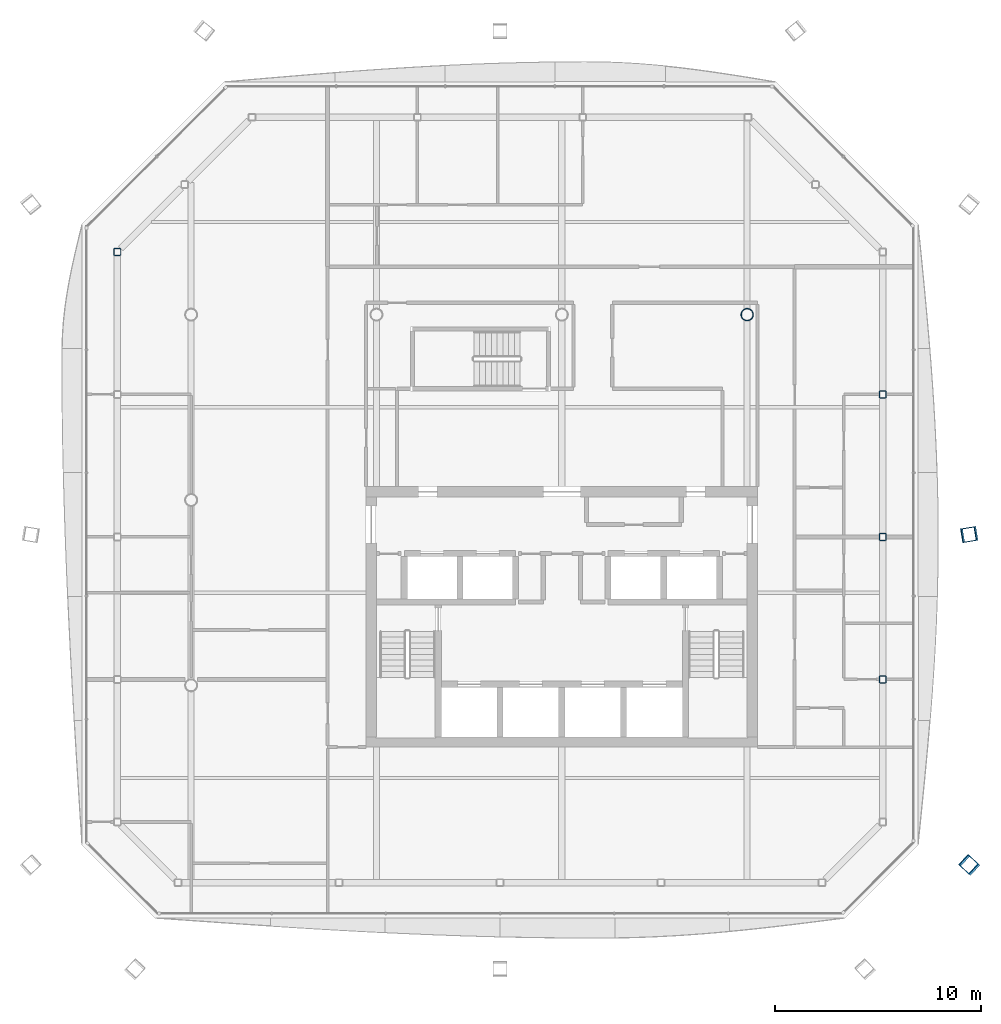
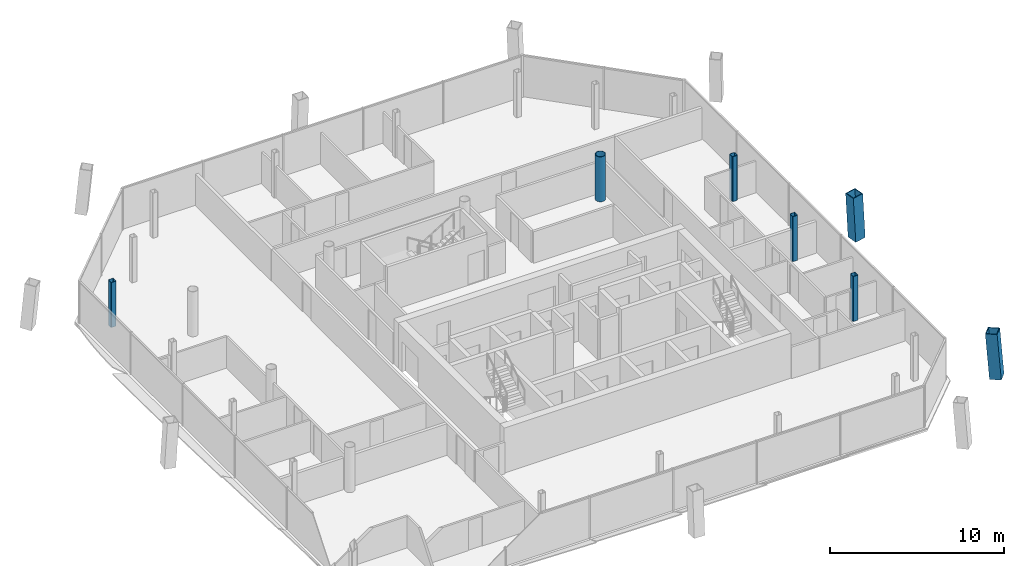
# One storey, part 2 of 20: 7 columns.
"""IFC4 building model written with IfcOpenShell, lengths in metres."""

import ifcopenshell
import ifcopenshell.guid

model = None  # the IFC model being written
_history = None  # IfcOwnerHistory: only IFC2X3 demands one
_inside = {}  # id of a spatial element -> (the spatial element, [elements in it])
_under = {}  # id of a project, library or spatial element -> (it, [spatial elements below it])
_declared = {}  # id of a project -> (the project, [libraries it declares])
_typed = {}  # id of a type object -> (the type object, [elements of that type])
_made_of = {}  # id of a material, layer set ... -> (it, [elements and type objects made of it])


def new_model(schema):
    """Start an empty IFC model of exactly this schema.

    Asked for "IFC4X3", IfcOpenShell would pick the latest addendum, in which some entities
    have other attributes; the version numbers below select the first issue.
    IFC2X3 requires an IfcOwnerHistory on every rooted entity: one is made here for all.
    """
    global model, _history
    if schema == "IFC4X3":
        model = ifcopenshell.file(schema_version=(4, 3, 0, 0))
    else:
        model = ifcopenshell.file(schema=schema)
    _inside.clear()
    _under.clear()
    _declared.clear()
    _typed.clear()
    _made_of.clear()
    _history = None
    if model.schema == "IFC2X3":
        org = make("IfcOrganization", Name="unknown")
        user = make(
            "IfcPersonAndOrganization",
            ThePerson=make("IfcPerson", FamilyName="unknown"),
            TheOrganization=org,
        )
        app = make(
            "IfcApplication",
            ApplicationDeveloper=org,
            Version="unknown",
            ApplicationFullName="unknown",
            ApplicationIdentifier="unknown",
        )
        _history = make(
            "IfcOwnerHistory",
            OwningUser=user,
            OwningApplication=app,
            ChangeAction="ADDED",
            CreationDate=0,
        )
    return model


def make(cls, **values):
    """One entity of the class cls with the attributes given. An attribute that is None is left unset."""
    return model.create_entity(
        cls, **{name: value for name, value in values.items() if value is not None}
    )


def rooted(cls, **values):
    """An entity with a GlobalId (a new one), such as an element, a storey or a relation."""
    return make(cls, GlobalId=ifcopenshell.guid.new(), OwnerHistory=_history, **values)


def si_unit(unit_type, name, prefix=None):
    """IfcSIUnit, for example si_unit("LENGTHUNIT", "METRE", prefix="MILLI")."""
    return make("IfcSIUnit", UnitType=unit_type, Prefix=prefix, Name=name)


def assignment(units):
    """IfcUnitAssignment: the units of a project."""
    return None if units is None else make("IfcUnitAssignment", Units=units)


def point(xyz):
    """IfcCartesianPoint."""
    return None if xyz is None else make("IfcCartesianPoint", Coordinates=xyz)


def direction(xyz):
    """IfcDirection."""
    return None if xyz is None else make("IfcDirection", DirectionRatios=xyz)


def frame(location, z_axis=None, x_axis=None):
    """IfcAxis2Placement3D, a coordinate frame: its origin and axes. An axis left out is left unset."""
    return make(
        "IfcAxis2Placement3D",
        Location=point(location),
        Axis=direction(z_axis),
        RefDirection=direction(x_axis),
    )


def frame_2d(location, x_axis=None):
    """IfcAxis2Placement2D, a coordinate frame in the plane: its origin and x axis."""
    return make(
        "IfcAxis2Placement2D", Location=point(location), RefDirection=direction(x_axis)
    )


def origin():
    """The frame at (0, 0, 0) with its axes left unset."""
    return frame((0.0, 0.0, 0.0))


def origin_2d():
    """The frame at (0, 0) in the plane with its x axis left unset."""
    return frame_2d((0.0, 0.0))


def place(relative_to, where):
    """IfcLocalPlacement: puts the frame where relative to a parent placement (None: the world)."""
    return make(
        "IfcLocalPlacement", PlacementRelTo=relative_to, RelativePlacement=where
    )


def context(
    kind, dimensions, precision=None, world=None, true_north=None, identifier=None
):
    """IfcGeometricRepresentationContext, for example the 3D "Model" context."""
    return make(
        "IfcGeometricRepresentationContext",
        ContextIdentifier=identifier,
        ContextType=kind,
        CoordinateSpaceDimension=dimensions,
        Precision=precision,
        WorldCoordinateSystem=world,
        TrueNorth=true_north,
    )


def subcontext(parent, identifier, kind, view, scale=None):
    """IfcGeometricRepresentationSubContext, for example "Body" below "Model"."""
    return make(
        "IfcGeometricRepresentationSubContext",
        ContextIdentifier=identifier,
        ContextType=kind,
        ParentContext=parent,
        TargetScale=scale,
        TargetView=view,
    )


def project(units=None, contexts=None):
    """IfcProject with its units and contexts."""
    return rooted(
        "IfcProject",
        Name="project",
        RepresentationContexts=contexts,
        UnitsInContext=assignment(units),
    )


def spatial(cls, under=None, at=None, **own):
    """A site, building, storey or space (cls), placed at a placement, below another one or the project."""
    s = rooted(cls, ObjectPlacement=at, **own)
    if under is not None:
        _under.setdefault(under.id(), (under, []))[1].append(s)
    return s


def profile(cls, at=None, kind="AREA", **sizes):
    """A parametric profile (cls). Its sizes go by their IFC names, for example OverallWidth=200.0."""
    return make(cls, ProfileType=kind, Position=at, **sizes)


def hollow_rectangle(**sizes):
    """IfcRectangleHollowProfileDef."""
    return profile("IfcRectangleHollowProfileDef", **sizes)


def hollow_circle(**sizes):
    """IfcCircleHollowProfileDef."""
    return profile("IfcCircleHollowProfileDef", **sizes)


def extrude(swept, where, along, depth):
    """IfcExtrudedAreaSolid: the profile swept, set in the frame where, extruded along a direction by depth."""
    return make(
        "IfcExtrudedAreaSolid",
        SweptArea=swept,
        Position=where,
        ExtrudedDirection=direction(along),
        Depth=depth,
    )


def shape(context_of_items, identifier, shape_type, items):
    """IfcShapeRepresentation: the items that make up one representation, for example the "Body"."""
    return make(
        "IfcShapeRepresentation",
        ContextOfItems=context_of_items,
        RepresentationIdentifier=identifier,
        RepresentationType=shape_type,
        Items=items,
    )


def material(Name=None, Category=None):
    """IfcMaterial."""
    return make("IfcMaterial", Name=Name, Category=Category)


def material_profile(
    of_material, cross_section, Name=None, Category=None, Priority=None
):
    """IfcMaterialProfile: a cross section and its material."""
    return make(
        "IfcMaterialProfile",
        Name=Name,
        Material=of_material,
        Profile=cross_section,
        Priority=Priority,
        Category=Category,
    )


def profile_set(profiles, Name=None, composite=None):
    """IfcMaterialProfileSet."""
    return make(
        "IfcMaterialProfileSet",
        Name=Name,
        MaterialProfiles=profiles,
        CompositeProfile=composite,
    )


def made_of(thing, what):
    """Note that an element or type object is made of a material, layer set ...; save() writes the relation."""
    if what is not None:
        _made_of.setdefault(what.id(), (what, []))[1].append(thing)
    return thing


def type_object(cls, material=None, **own):
    """A type object (cls), such as IfcWallType, which elements share."""
    return made_of(rooted(cls, **own), material)


def element(
    cls,
    number,
    at=None,
    inside=None,
    cuts=None,
    type_object=None,
    material=None,
    context=None,
    identifier="Body",
    shape_type=None,
    held_by="IfcProductDefinitionShape",
    body=None,
    shapes=None,
    **own,
):
    """One element of the class cls, such as IfcWall. Its Tag is "e" and its number.

    at: its placement. inside: the storey or other place that contains it. cuts: it is an
    opening in that element (IfcRelVoidsElement). A single representation is given by context,
    identifier, shape_type and body (its items); several are given by shapes. held_by: the class
    of the entity that holds the representations. save() writes the other relations.
    """
    e = rooted(cls, Tag="e%d" % number, ObjectPlacement=at, **own)
    if body is not None:
        shapes = [shape(context, identifier, shape_type, body)]
    if shapes is not None:
        e.Representation = make(held_by, Representations=shapes)
    if inside is not None:
        _inside.setdefault(inside.id(), (inside, []))[1].append(e)
    if cuts is not None:
        rooted(
            "IfcRelVoidsElement", RelatingBuildingElement=cuts, RelatedOpeningElement=e
        )
    if type_object is not None:
        _typed.setdefault(type_object.id(), (type_object, []))[1].append(e)
    return made_of(e, material)


def aggregate(whole, parts):
    """IfcRelAggregates: a whole, such as a stair, and the parts it consists of."""
    return rooted("IfcRelAggregates", RelatingObject=whole, RelatedObjects=parts)


def save(model, path):
    """Write the relations noted so far, then the file.

    IfcRelAggregates (storeys below a building ...), IfcRelContainedInSpatialStructure (elements
    in a storey), IfcRelDefinesByType, IfcRelAssociatesMaterial and IfcRelDeclares: one each for
    every whole, place, type object, material and project.
    """
    for whole, parts in _under.values():
        aggregate(whole, parts)
    for where, things in _inside.values():
        rooted(
            "IfcRelContainedInSpatialStructure",
            RelatedElements=things,
            RelatingStructure=where,
        )
    for kind, things in _typed.values():
        rooted("IfcRelDefinesByType", RelatedObjects=things, RelatingType=kind)
    for what, things in _made_of.values():
        rooted("IfcRelAssociatesMaterial", RelatedObjects=things, RelatingMaterial=what)
    for by, libraries in _declared.values():
        rooted("IfcRelDeclares", RelatingContext=by, RelatedDefinitions=libraries)
    model.write(path)


model = new_model("IFC4")

# Units and contexts
model_context = context("Model", 3, precision=1e-05, world=origin(), true_north=direction((0.0, 1.0)))
body_context = subcontext(model_context, "Body", "Model", "MODEL_VIEW")
ifc_project = project(units=[si_unit("LENGTHUNIT", "METRE"), si_unit("AREAUNIT", "SQUARE_METRE"), si_unit("VOLUMEUNIT", "CUBIC_METRE"), si_unit("PLANEANGLEUNIT", "RADIAN"), si_unit("MASSUNIT", "GRAM", prefix="KILO")], contexts=[model_context])

# Site, building, storey
site_placement = place(None, origin())
site = spatial("IfcSite", under=ifc_project, at=site_placement, CompositionType="ELEMENT")
building_placement = place(site_placement, origin())
building = spatial("IfcBuilding", under=site, at=building_placement, Name="Tskaro Facet Tower", CompositionType="ELEMENT")
storey_placement = place(building_placement, frame((0.0, 0.0, 197.39990234375)))
storey = spatial("IfcBuildingStorey", under=building, at=storey_placement, Name="L50", CompositionType="ELEMENT", Elevation=197.39990234375)

# Columns
ifc_material_1 = material(Name="Steel S460M", Category="steel")
ifc_material_profile_1 = material_profile(ifc_material_1, hollow_rectangle(XDim=0.699951171875, YDim=0.699951171875, WallThickness=0.044921875, at=origin_2d()), Name="BOX 700x700x45")
ifc_profile_set_1 = profile_set([ifc_material_profile_1], Name="Steel S460M")
column_type_1 = type_object("IfcColumnType", Name="BOX 700x700x45 mega column", PredefinedType="COLUMN", material=ifc_profile_set_1)
column_1_placement = place(storey_placement, frame((19.81494140625, -17.7509765625, 0.0), z_axis=(-0.057561953922, 0.052848827493, 0.996942136181), x_axis=(-0.676306475744, -0.736620357353, 0.0)))
element("IfcColumn", 1, at=column_1_placement, inside=storey, type_object=column_type_1, Name="BOX 700x700x45 MC04/4", PredefinedType="COLUMN", context=body_context, shape_type="SweptSolid", body=[
    extrude(hollow_rectangle(XDim=0.699951171875, YDim=0.699951171875, WallThickness=0.044921875, at=origin_2d()), origin(), (0.0, 0.0, 1.0), 3.159912109375),
])
column_2_placement = place(storey_placement, frame((19.81494140625, -1.674072265625, 0.0), z_axis=(-0.057639897771, -0.009516385807, 0.998292081801), x_axis=(0.162895476227, -0.986643331617, 0.0)))
element("IfcColumn", 2, at=column_2_placement, inside=storey, type_object=column_type_1, Name="BOX 700x700x45 MC05/4", PredefinedType="COLUMN", context=body_context, shape_type="SweptSolid", body=[
    extrude(hollow_rectangle(XDim=0.699951171875, YDim=0.699951171875, WallThickness=0.044921875, at=origin_2d()), origin(), (0.0, 0.0, 1.0), 3.155517578125),
])
ifc_material_2 = material(Name="Steel S355J2H", Category="steel")
ifc_material_profile_2 = material_profile(ifc_material_2, hollow_circle(Radius=0.304931640625, WallThickness=0.030029296875, at=origin_2d()), Name="CHS 610x30")
ifc_profile_set_2 = profile_set([ifc_material_profile_2], Name="Steel S355J2H")
column_type_2 = type_object("IfcColumnType", Name="CHS 610x30 interior column", PredefinedType="COLUMN", material=ifc_profile_set_2)
column_3_placement = place(storey_placement, frame((9.0, 9.0, 0.0), z_axis=(0.0, 0.0, 1.0), x_axis=(1.0, 0.0, 0.0)))
element("IfcColumn", 3, at=column_3_placement, inside=storey, type_object=column_type_2, Name="CHS 610x30 C5E/4", PredefinedType="COLUMN", context=body_context, shape_type="SweptSolid", body=[
    extrude(hollow_circle(Radius=0.304931640625, WallThickness=0.030029296875, at=origin_2d()), origin(), (0.0, 0.0, 1.0), 3.150146484375),
])
ifc_material_profile_3 = material_profile(ifc_material_2, hollow_rectangle(XDim=0.35009765625, YDim=0.35009765625, WallThickness=0.02001953125, InnerFilletRadius=0.030029296875, OuterFilletRadius=0.050048828125, at=origin_2d()), Name="SHS 350x350x20")
ifc_profile_set_3 = profile_set([ifc_material_profile_3], Name="Steel S355J2H")
column_type_3 = type_object("IfcColumnType", Name="SHS 350x350x20 ring column", PredefinedType="COLUMN", material=ifc_profile_set_3)
for number, where, z_axis, x_axis, name in (
    (4, (15.5830078125, -8.712890625, 0.0), (0.0, 0.0, 1.0), (1.0, 0.0, 0.0), "SHS 350x350x20 RE-2/4"),
    (5, (15.5830078125, -1.79296875, 0.0), (0.0, 0.0, 1.0), (1.0, 0.0, 0.0), "SHS 350x350x20 RE-3/4"),
    (6, (15.5830078125, 5.1259765625, 0.0), (0.0, 0.0, 1.0), (1.0, 0.0, 0.0), "SHS 350x350x20 RE-4/4"),
    (7, (-21.5830078125, 12.0458984375, 0.0), (0.0, 0.0, 1.0), (1.0, 0.0, 0.0), "SHS 350x350x20 RW-1/4"),
):
    element("IfcColumn", number, at=place(storey_placement, frame(where, z_axis=z_axis, x_axis=x_axis)), inside=storey, type_object=column_type_3, Name=name, PredefinedType="COLUMN", context=body_context, shape_type="SweptSolid", body=[
        extrude(hollow_rectangle(XDim=0.35009765625, YDim=0.35009765625, WallThickness=0.02001953125, InnerFilletRadius=0.030029296875, OuterFilletRadius=0.050048828125, at=origin_2d()), origin(), (0.0, 0.0, 1.0), 3.150146484375),
    ])

save(model, "model.ifc")
